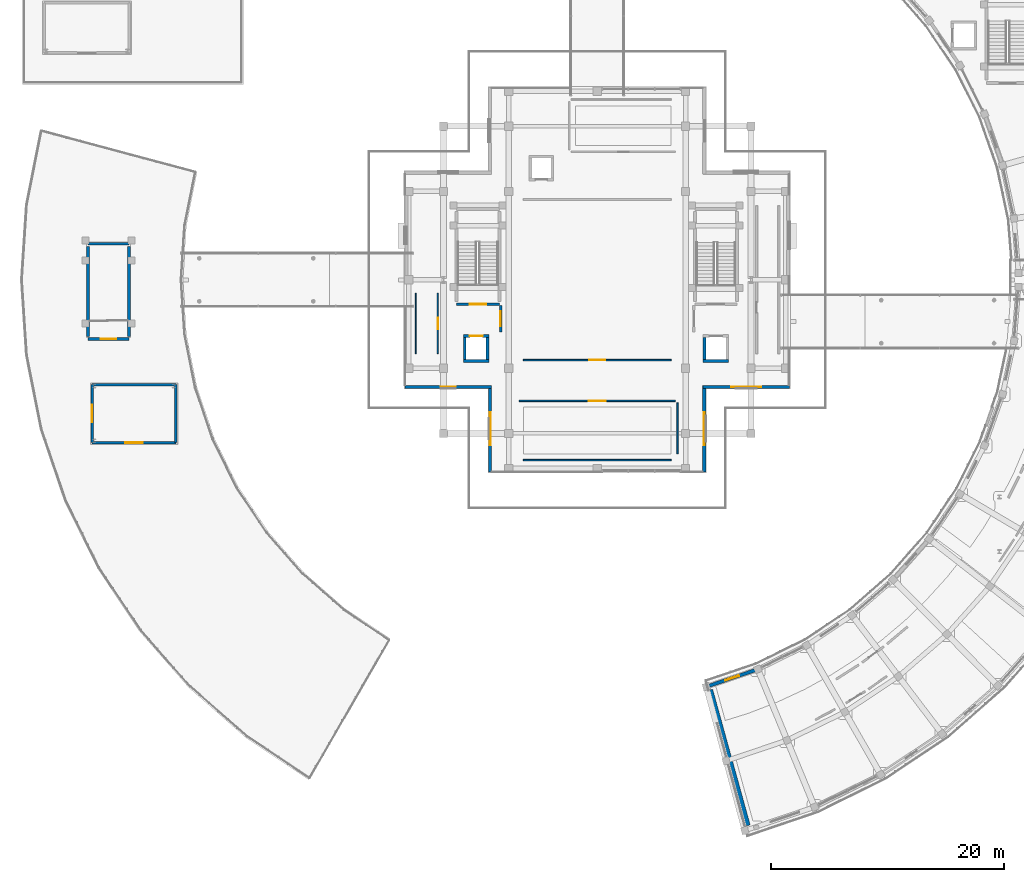
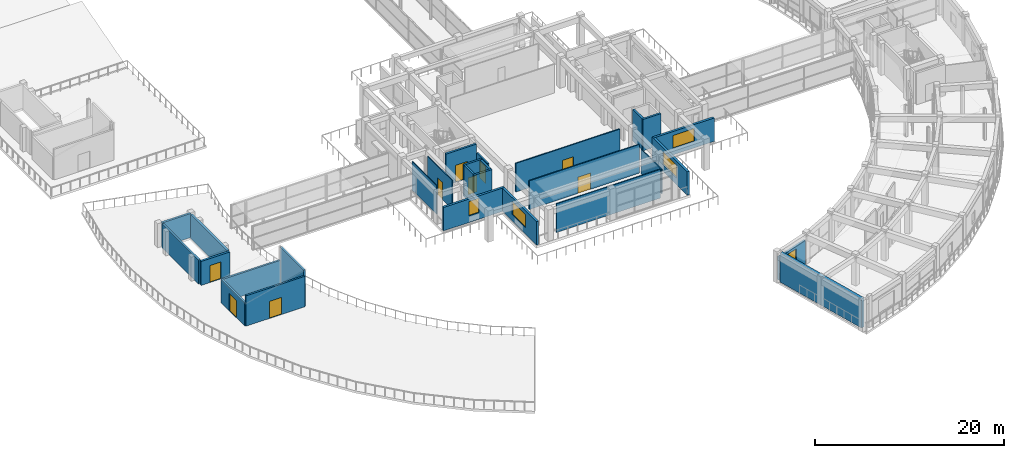
# One storey, part 34 of 53: 28 walls, 9 doors, 5 windows, 14 openings.
"""IFC4 building model written with IfcOpenShell, lengths in metres."""

from ifc_helpers import new_model, si_unit, direction, frame, frame_2d, origin, place, context, subcontext, project, spatial, rectangle, extrude, material, layer, layer_set, type_object, element, fill, save


model = new_model("IFC4")

# Units and contexts
model_context = context("Model", 3, precision=1e-05, world=origin(), true_north=direction((0.0, 1.0)))
body_context = subcontext(model_context, "Body", "Model", "MODEL_VIEW")
ifc_project = project(units=[si_unit("LENGTHUNIT", "METRE"), si_unit("AREAUNIT", "SQUARE_METRE"), si_unit("VOLUMEUNIT", "CUBIC_METRE"), si_unit("PLANEANGLEUNIT", "RADIAN"), si_unit("MASSUNIT", "GRAM", prefix="KILO")], contexts=[model_context])

# Site, building, storey
site_placement = place(None, origin())
site = spatial("IfcSite", under=ifc_project, at=site_placement, CompositionType="ELEMENT")
building_placement = place(site_placement, origin())
building = spatial("IfcBuilding", under=site, at=building_placement, Name="Saryqyr Civic Hall", CompositionType="ELEMENT")
storey_placement = place(building_placement, frame((0.0, 0.0, 21.300048828125)))
storey = spatial("IfcBuildingStorey", under=building, at=storey_placement, Name="L05", CompositionType="ELEMENT", Elevation=21.300048828125)

# Wall, opening, door
ifc_material_1 = material(Name="Precast concrete C40/50", Category="concrete")
ifc_layer_1 = layer(ifc_material_1, 0.219970703125, Name="Precast concrete C40/50")
ifc_layer_set_1 = layer_set([ifc_layer_1], Name="Precast concrete C40/50")
wall_type_1 = type_object("IfcWallType", Name="ENV-WAL-EXT-220", PredefinedType="STANDARD", material=ifc_layer_set_1)
wall_1_placement = place(storey_placement, frame((20.800048828125, 70.0, 0.0), z_axis=(0.0, 0.0, 1.0), x_axis=(-1.0, 0.0, 0.0)))
wall_1 = element("IfcWall", 1, at=wall_1_placement, inside=storey, type_object=wall_type_1, Name="Roof garden pavilion wall WAL-RG-V4-S", PredefinedType="STANDARD", context=body_context, shape_type="SweptSolid", body=[
    extrude(rectangle(XDim=7.199951171875, YDim=0.219970703125, at=frame_2d((3.60009765625, 0.0))), origin(), (0.0, 0.0, 1.0), 3.930908203125),
])
opening_1_placement = place(wall_1_placement, frame((2.85009765625, 0.0, 0.0)))
opening_1 = element("IfcOpeningElement", 2, at=opening_1_placement, cuts=wall_1, Name="Opening TD-A", PredefinedType="OPENING", context=body_context, shape_type="SweptSolid", body=[
    extrude(rectangle(XDim=1.5, YDim=2.199951171875, at=frame_2d((0.75, 1.10009765625))), frame((0.0, 0.119873046875, 0.0), z_axis=(0.0, -1.0, 0.0), x_axis=(1.0, 0.0, 0.0)), (0.0, 0.0, 1.0), 0.239990234375),
])
ifc_material_2 = material(Name="Thermally broken painted galvanized steel", Category="steel")
door_type_1 = type_object("IfcDoorType", Name="ENV-DR-TERR-1500x2200", OperationType="NOTDEFINED", PredefinedType="DOOR", material=ifc_material_2)
door_1_placement = place(opening_1_placement, origin())
door_1 = element("IfcDoor", 3, at=door_1_placement, inside=storey, type_object=door_type_1, Name="Planted roof garden terrace access door RG-V4", OperationType="SINGLE_SWING_LEFT", OverallHeight=2.199951171875, OverallWidth=1.5, PredefinedType="DOOR", context=body_context, shape_type="SweptSolid", body=[
    extrude(rectangle(XDim=1.5, YDim=2.199951171875, at=frame_2d((0.75, 1.10009765625))), frame((0.0, 0.02490234375, 0.0), z_axis=(0.0, -1.0, 0.0), x_axis=(1.0, 0.0, 0.0)), (0.0, 0.0, 1.0), 0.050048828125),
])
fill(opening_1, door_1)

# Walls
wall_2_placement = place(storey_placement, frame((20.800048828125, 75.0, 0.0), z_axis=(0.0, 0.0, 1.0), x_axis=(0.0, -1.0, 0.0)))
element("IfcWall", 4, at=wall_2_placement, inside=storey, type_object=wall_type_1, Name="Roof garden pavilion wall WAL-RG-V4-E", PredefinedType="STANDARD", context=body_context, shape_type="SweptSolid", body=[
    extrude(rectangle(XDim=5.0, YDim=0.219970703125, at=frame_2d((2.5, 0.0))), origin(), (0.0, 0.0, 1.0), 4.681884765625),
])
wall_3_placement = place(storey_placement, frame((13.60009765625, 75.0, 0.0), z_axis=(0.0, 0.0, 1.0), x_axis=(1.0, 0.0, 0.0)))
element("IfcWall", 5, at=wall_3_placement, inside=storey, type_object=wall_type_1, Name="Roof garden pavilion wall WAL-RG-V4-N", PredefinedType="STANDARD", context=body_context, shape_type="SweptSolid", body=[
    extrude(rectangle(XDim=7.199951171875, YDim=0.219970703125, at=frame_2d((3.60009765625, 0.0))), origin(), (0.0, 0.0, 1.0), 3.0),
])

# Wall, opening, door
wall_4_placement = place(storey_placement, frame((13.60009765625, 70.0, 0.0), z_axis=(0.0, 0.0, 1.0), x_axis=(0.0, 1.0, 0.0)))
wall_4 = element("IfcWall", 6, at=wall_4_placement, inside=storey, type_object=wall_type_1, Name="Roof garden pavilion wall WAL-RG-V4-W", PredefinedType="STANDARD", context=body_context, shape_type="SweptSolid", body=[
    extrude(rectangle(XDim=5.0, YDim=0.219970703125, at=frame_2d((2.5, 0.0))), origin(), (0.0, 0.0, 1.0), 3.0),
])
opening_2_placement = place(wall_4_placement, frame((1.75, 0.0, 0.0)))
opening_2 = element("IfcOpeningElement", 7, at=opening_2_placement, cuts=wall_4, Name="Opening TD-A", PredefinedType="OPENING", context=body_context, shape_type="SweptSolid", body=[
    extrude(rectangle(XDim=1.5, YDim=2.199951171875, at=frame_2d((0.75, 1.10009765625))), frame((0.0, 0.119873046875, 0.0), z_axis=(0.0, -1.0, 0.0), x_axis=(1.0, 0.0, 0.0)), (0.0, 0.0, 1.0), 0.239990234375),
])
door_2_placement = place(opening_2_placement, origin())
door_2 = element("IfcDoor", 8, at=door_2_placement, inside=storey, type_object=door_type_1, Name="Planted roof garden terrace access door RG-V4", OperationType="SINGLE_SWING_RIGHT", OverallHeight=2.199951171875, OverallWidth=1.5, PredefinedType="DOOR", context=body_context, shape_type="SweptSolid", body=[
    extrude(rectangle(XDim=1.5, YDim=2.199951171875, at=frame_2d((0.75, 1.10009765625))), frame((0.0, 0.02490234375, 0.0), z_axis=(0.0, -1.0, 0.0), x_axis=(1.0, 0.0, 0.0)), (0.0, 0.0, 1.0), 0.050048828125),
])
fill(opening_2, door_2)

# Wall, opening, window
ifc_layer_2 = layer(ifc_material_1, 0.27001953125, Name="Precast concrete C40/50")
ifc_layer_set_2 = layer_set([ifc_layer_2], Name="Precast concrete C40/50")
wall_type_2 = type_object("IfcWallType", Name="ENV-WAL-EXT-270", PredefinedType="STANDARD", material=ifc_layer_set_2)
wall_5_placement = place(storey_placement, frame((47.800048828125, 67.47998046875, 0.0), z_axis=(0.0, 0.0, 1.0), x_axis=(0.0, 1.0, 0.0)))
wall_5 = element("IfcWall", 9, at=wall_5_placement, inside=storey, type_object=wall_type_2, Name="Exterior wall V1-EW-L05-00", PredefinedType="STANDARD", context=body_context, shape_type="SweptSolid", body=[
    extrude(rectangle(XDim=7.43994140625, YDim=0.27001953125, at=frame_2d((3.719970703125, 0.0))), origin(), (0.0, 0.0, 1.0), 3.014892578125),
])
opening_3_placement = place(wall_5_placement, frame((2.294921875, 0.0, 0.85009765625)))
opening_3 = element("IfcOpeningElement", 10, at=opening_3_placement, cuts=wall_5, Name="Opening W-24", PredefinedType="OPENING", context=body_context, shape_type="SweptSolid", body=[
    extrude(rectangle(XDim=2.85009765625, YDim=1.64990234375, at=frame_2d((1.425048828125, 0.824951171875))), frame((0.0, 0.14501953125, 0.0), z_axis=(0.0, -1.0, 0.0), x_axis=(1.0, 0.0, 0.0)), (0.0, 0.0, 1.0), 0.2900390625),
])
ifc_material_3 = material(Name="Anodised aluminium and triple low-E glass", Category="aluminium")
window_type_1 = type_object("IfcWindowType", Name="ENV-WIN-W24", PartitioningType="SINGLE_PANEL", PredefinedType="WINDOW", material=ifc_material_3)
window_1_placement = place(opening_3_placement, origin())
window_1 = element("IfcWindow", 11, at=window_1_placement, inside=storey, type_object=window_type_1, Name="Chamber cluster window L05-00", OverallHeight=1.64990234375, OverallWidth=2.85009765625, PartitioningType="SINGLE_PANEL", PredefinedType="WINDOW", context=body_context, shape_type="SweptSolid", body=[
    extrude(rectangle(XDim=2.85009765625, YDim=1.64990234375, at=frame_2d((1.425048828125, 0.824951171875))), frame((0.0, 0.030029296875, 0.0), z_axis=(0.0, -1.0, 0.0), x_axis=(1.0, 0.0, 0.0)), (0.0, 0.0, 1.0), 0.06005859375),
])
fill(opening_3, window_1)

wall_6_placement = place(storey_placement, frame((47.919921875, 74.800048828125, 0.0), z_axis=(0.0, 0.0, 1.0), x_axis=(-1.0, 0.0, 0.0)))
wall_6 = element("IfcWall", 12, at=wall_6_placement, inside=storey, type_object=wall_type_2, Name="Exterior wall V1-EW-L05-01", PredefinedType="STANDARD", context=body_context, shape_type="SweptSolid", body=[
    extrude(rectangle(XDim=7.43994140625, YDim=0.27001953125, at=frame_2d((3.719970703125, 0.0))), origin(), (0.0, 0.0, 1.0), 3.014892578125),
])
opening_4_placement = place(wall_6_placement, frame((3.094970703125, 0.0, 0.85009765625)))
opening_4 = element("IfcOpeningElement", 13, at=opening_4_placement, cuts=wall_6, Name="Opening W-25", PredefinedType="OPENING", context=body_context, shape_type="SweptSolid", body=[
    extrude(rectangle(XDim=1.25, YDim=1.85009765625, at=frame_2d((0.625, 0.925048828125))), frame((0.0, 0.14501953125, 0.0), z_axis=(0.0, -1.0, 0.0), x_axis=(1.0, 0.0, 0.0)), (0.0, 0.0, 1.0), 0.2900390625),
])
window_type_2 = type_object("IfcWindowType", Name="ENV-WIN-W25", PartitioningType="SINGLE_PANEL", PredefinedType="WINDOW", material=ifc_material_3)
window_2_placement = place(opening_4_placement, origin())
window_2 = element("IfcWindow", 14, at=window_2_placement, inside=storey, type_object=window_type_2, Name="Chamber cluster window L05-01", OverallHeight=1.85009765625, OverallWidth=1.25, PartitioningType="SINGLE_PANEL", PredefinedType="WINDOW", context=body_context, shape_type="SweptSolid", body=[
    extrude(rectangle(XDim=1.25, YDim=1.85009765625, at=frame_2d((0.625, 0.925048828125))), frame((0.0, 0.030029296875, 0.0), z_axis=(0.0, -1.0, 0.0), x_axis=(1.0, 0.0, 0.0)), (0.0, 0.0, 1.0), 0.06005859375),
])
fill(opening_4, window_2)

wall_7_placement = place(storey_placement, frame((73.52001953125, 74.800048828125, 0.0), z_axis=(0.0, 0.0, 1.0), x_axis=(-1.0, 0.0, 0.0)))
wall_7 = element("IfcWall", 15, at=wall_7_placement, inside=storey, type_object=wall_type_2, Name="Exterior wall V1-EW-L05-09", PredefinedType="STANDARD", context=body_context, shape_type="SweptSolid", body=[
    extrude(rectangle(XDim=7.43994140625, YDim=0.27001953125, at=frame_2d((3.719970703125, 0.0))), origin(), (0.0, 0.0, 1.0), 3.014892578125),
])
opening_5_placement = place(wall_7_placement, frame((2.419921875, 0.0, 0.85009765625)))
opening_5 = element("IfcOpeningElement", 16, at=opening_5_placement, cuts=wall_7, Name="Opening W-23", PredefinedType="OPENING", context=body_context, shape_type="SweptSolid", body=[
    extrude(rectangle(XDim=2.60009765625, YDim=1.64990234375, at=frame_2d((1.300048828125, 0.824951171875))), frame((0.0, 0.14501953125, 0.0), z_axis=(0.0, -1.0, 0.0), x_axis=(1.0, 0.0, 0.0)), (0.0, 0.0, 1.0), 0.2900390625),
])
window_type_3 = type_object("IfcWindowType", Name="ENV-WIN-W23", PartitioningType="SINGLE_PANEL", PredefinedType="WINDOW", material=ifc_material_3)
window_3_placement = place(opening_5_placement, origin())
window_3 = element("IfcWindow", 17, at=window_3_placement, inside=storey, type_object=window_type_3, Name="Chamber cluster window L05-09", OverallHeight=1.64990234375, OverallWidth=2.60009765625, PartitioningType="SINGLE_PANEL", PredefinedType="WINDOW", context=body_context, shape_type="SweptSolid", body=[
    extrude(rectangle(XDim=2.60009765625, YDim=1.64990234375, at=frame_2d((1.300048828125, 0.824951171875))), frame((0.0, 0.030029296875, 0.0), z_axis=(0.0, -1.0, 0.0), x_axis=(1.0, 0.0, 0.0)), (0.0, 0.0, 1.0), 0.06005859375),
])
fill(opening_5, window_3)

wall_8_placement = place(storey_placement, frame((66.199951171875, 74.919921875, 0.0), z_axis=(0.0, 0.0, 1.0), x_axis=(0.0, -1.0, 0.0)))
wall_8 = element("IfcWall", 18, at=wall_8_placement, inside=storey, type_object=wall_type_2, Name="Exterior wall V1-EW-L05-10", PredefinedType="STANDARD", context=body_context, shape_type="SweptSolid", body=[
    extrude(rectangle(XDim=7.43994140625, YDim=0.27001953125, at=frame_2d((3.719970703125, 0.0))), origin(), (0.0, 0.0, 1.0), 3.014892578125),
])
opening_6_placement = place(wall_8_placement, frame((2.294921875, 0.0, 0.85009765625)))
opening_6 = element("IfcOpeningElement", 19, at=opening_6_placement, cuts=wall_8, Name="Opening W-24", PredefinedType="OPENING", context=body_context, shape_type="SweptSolid", body=[
    extrude(rectangle(XDim=2.85009765625, YDim=1.64990234375, at=frame_2d((1.425048828125, 0.824951171875))), frame((0.0, 0.14501953125, 0.0), z_axis=(0.0, -1.0, 0.0), x_axis=(1.0, 0.0, 0.0)), (0.0, 0.0, 1.0), 0.2900390625),
])
window_4_placement = place(opening_6_placement, origin())
window_4 = element("IfcWindow", 20, at=window_4_placement, inside=storey, type_object=window_type_1, Name="Chamber cluster window L05-10", OverallHeight=1.64990234375, OverallWidth=2.85009765625, PartitioningType="SINGLE_PANEL", PredefinedType="WINDOW", context=body_context, shape_type="SweptSolid", body=[
    extrude(rectangle(XDim=2.85009765625, YDim=1.64990234375, at=frame_2d((1.425048828125, 0.824951171875))), frame((0.0, 0.030029296875, 0.0), z_axis=(0.0, -1.0, 0.0), x_axis=(1.0, 0.0, 0.0)), (0.0, 0.0, 1.0), 0.06005859375),
])
fill(opening_6, window_4)

ifc_layer_3 = layer(ifc_material_1, 0.2900390625, Name="Precast concrete C40/50")
ifc_layer_set_3 = layer_set([ifc_layer_3], Name="Precast concrete C40/50")
wall_type_3 = type_object("IfcWallType", Name="ENV-WAL-EXT-290", PredefinedType="STANDARD", material=ifc_layer_set_3)
wall_9_placement = place(storey_placement, frame((66.604248046875, 49.113037109375, 0.0), z_axis=(0.0, 0.0, 1.0), x_axis=(0.947212694363, 0.32060585091, 0.0)))
wall_9 = element("IfcWall", 21, at=wall_9_placement, inside=storey, type_object=wall_type_3, Name="Exterior wall V5-EWI-L05-00", PredefinedType="STANDARD", context=body_context, shape_type="SweptSolid", body=[
    extrude(rectangle(XDim=4.17919921875, YDim=0.2900390625, at=frame_2d((2.089599609375, 0.0))), origin(), (0.0, 0.0, 1.0), 3.0048828125),
])
opening_7_placement = place(wall_9_placement, frame((1.465087890625, 0.0, 0.85009765625)))
opening_7 = element("IfcOpeningElement", 22, at=opening_7_placement, cuts=wall_9, Name="Opening W-25", PredefinedType="OPENING", context=body_context, shape_type="SweptSolid", body=[
    extrude(rectangle(XDim=1.25, YDim=1.85009765625, at=frame_2d((0.625, 0.925048828125))), frame((0.0, 0.155029296875, 0.0), z_axis=(0.0, -1.0, 0.0), x_axis=(1.0, 0.0, 0.0)), (0.0, 0.0, 1.0), 0.31005859375),
])
window_5_placement = place(opening_7_placement, origin())
window_5 = element("IfcWindow", 23, at=window_5_placement, inside=storey, type_object=window_type_2, Name="Courtyard window V5-L05-00", OverallHeight=1.85009765625, OverallWidth=1.25, PartitioningType="SINGLE_PANEL", PredefinedType="WINDOW", context=body_context, shape_type="SweptSolid", body=[
    extrude(rectangle(XDim=1.25, YDim=1.85009765625, at=frame_2d((0.625, 0.925048828125))), frame((0.0, 0.030029296875, 0.0), z_axis=(0.0, -1.0, 0.0), x_axis=(1.0, 0.0, 0.0)), (0.0, 0.0, 1.0), 0.06005859375),
])
fill(opening_7, window_5)

# Wall
ifc_material_4 = material(Name="Concrete C40/50", Category="concrete")
ifc_layer_4 = layer(ifc_material_4, 0.3798828125, Name="Concrete C40/50")
ifc_layer_set_4 = layer_set([ifc_layer_4], Name="Concrete C40/50")
wall_type_4 = type_object("IfcWallType", Name="ENV-WAL-PTY-380", PredefinedType="SHEAR", material=ifc_layer_set_4)
wall_10_placement = place(storey_placement, frame((69.960205078125, 37.108154296875, 0.0), z_axis=(0.0, 0.0, 1.0), x_axis=(-0.266399016259, 0.963862834711, 0.0)))
element("IfcWall", 24, at=wall_10_placement, inside=storey, type_object=wall_type_4, Name="Exterior wall V5-JNTW-A-L05", PredefinedType="SHEAR", context=body_context, shape_type="SweptSolid", body=[
    extrude(rectangle(XDim=12.099853515625, YDim=0.3798828125, at=frame_2d((6.0498046875, 0.0))), origin(), (0.0, 0.0, 1.0), 3.75),
])

# Wall, opening, door
ifc_material_5 = material(Name="Autoclaved aerated concrete blockwork", Category="masonry")
ifc_layer_5 = layer(ifc_material_5, 0.199951171875, Name="Autoclaved aerated concrete blockwork")
ifc_layer_set_5 = layer_set([ifc_layer_5], Name="Autoclaved aerated concrete blockwork")
wall_type_5 = type_object("IfcWallType", Name="INT-WAL-FIR-200", PredefinedType="PARTITIONING", material=ifc_layer_set_5)
wall_11_placement = place(storey_placement, frame((48.699951171875, 81.800048828125, 0.0), z_axis=(0.0, 0.0, 1.0), x_axis=(0.0, -1.0, 0.0)))
wall_11 = element("IfcWall", 25, at=wall_11_placement, inside=storey, type_object=wall_type_5, Name="Firefighting lift lobby enclosure wall LF-01 L05", PredefinedType="PARTITIONING", context=body_context, shape_type="SweptSolid", body=[
    extrude(rectangle(XDim=2.300048828125, YDim=0.199951171875, at=frame_2d((1.14990234375, 0.0))), origin(), (0.0, 0.0, 1.0), 2.89990234375),
])
opening_8_placement = place(wall_11_placement, frame((0.5, 0.0, 0.0)))
opening_8 = element("IfcOpeningElement", 26, at=opening_8_placement, cuts=wall_11, Name="Opening FD-01", PredefinedType="OPENING", context=body_context, shape_type="SweptSolid", body=[
    extrude(rectangle(XDim=1.300048828125, YDim=2.199951171875, at=frame_2d((0.64990234375, 1.10009765625))), frame((0.0, 0.10986328125, 0.0), z_axis=(0.0, -1.0, 0.0), x_axis=(1.0, 0.0, 0.0)), (0.0, 0.0, 1.0), 0.219970703125),
])
ifc_material_6 = material(Name="Painted galvanized steel", Category="steel")
door_type_2 = type_object("IfcDoorType", Name="INT-DR-FFLOB-1300x2200", OperationType="NOTDEFINED", PredefinedType="DOOR", material=ifc_material_6)
door_3_placement = place(opening_8_placement, origin())
door_3 = element("IfcDoor", 27, at=door_3_placement, inside=storey, type_object=door_type_2, Name="Firefighting lift lobby smoke-control door LF-01 L05", OperationType="SINGLE_SWING_LEFT", OverallHeight=2.199951171875, OverallWidth=1.300048828125, PredefinedType="DOOR", context=body_context, shape_type="SweptSolid", body=[
    extrude(rectangle(XDim=1.300048828125, YDim=2.199951171875, at=frame_2d((0.64990234375, 1.10009765625))), frame((0.0, 0.02490234375, 0.0), z_axis=(0.0, -1.0, 0.0), x_axis=(1.0, 0.0, 0.0)), (0.0, 0.0, 1.0), 0.050048828125),
])
fill(opening_8, door_3)

ifc_material_7 = material(Name="Lightweight demountable partition", Category="gypsum")
ifc_layer_6 = layer(ifc_material_7, 0.094970703125, Name="Lightweight demountable partition")
ifc_layer_set_6 = layer_set([ifc_layer_6], Name="Lightweight demountable partition")
wall_type_6 = type_object("IfcWallType", Name="INT-WAL-PRT-095", PredefinedType="PARTITIONING", material=ifc_layer_set_6)
wall_12_placement = place(storey_placement, frame((43.300048828125, 82.85009765625, 0.0), z_axis=(0.0, 0.0, 1.0), x_axis=(0.0, -1.0, 0.0)))
wall_12 = element("IfcWall", 28, at=wall_12_placement, inside=storey, type_object=wall_type_6, Name="Interior partition PRT-SP-V1-L05-R04-W1", PredefinedType="PARTITIONING", context=body_context, shape_type="SweptSolid", body=[
    extrude(rectangle(XDim=5.2001953125, YDim=0.094970703125, at=frame_2d((2.60009765625, 0.0))), origin(), (0.0, 0.0, 1.0), 3.699951171875),
])
opening_9_placement = place(wall_12_placement, frame((2.10009765625, 0.0, 0.0)))
opening_9 = element("IfcOpeningElement", 29, at=opening_9_placement, cuts=wall_12, Name="Opening D-10", PredefinedType="OPENING", context=body_context, shape_type="SweptSolid", body=[
    extrude(rectangle(XDim=1.0, YDim=2.219970703125, at=frame_2d((0.5, 1.10986328125))), frame((0.0, 0.057373046875, 0.0), z_axis=(0.0, -1.0, 0.0), x_axis=(1.0, 0.0, 0.0)), (0.0, 0.0, 1.0), 0.114990234375),
])
ifc_material_8 = material(Name="Acoustic solid-core oak veneer", Category="wood")
door_type_3 = type_object("IfcDoorType", Name="INT-DR-D-10", OperationType="NOTDEFINED", PredefinedType="DOOR", material=ifc_material_8)
door_4_placement = place(opening_9_placement, origin())
door_4 = element("IfcDoor", 30, at=door_4_placement, inside=storey, type_object=door_type_3, Name="Interior door West Terrace Lobby", OperationType="SINGLE_SWING_RIGHT", OverallHeight=2.219970703125, OverallWidth=1.0, PredefinedType="DOOR", context=body_context, shape_type="SweptSolid", body=[
    extrude(rectangle(XDim=1.0, YDim=2.219970703125, at=frame_2d((0.5, 1.10986328125))), frame((0.0, 0.02490234375, 0.0), z_axis=(0.0, -1.0, 0.0), x_axis=(1.0, 0.0, 0.0)), (0.0, 0.0, 1.0), 0.050048828125),
])
fill(opening_9, door_4)

# Wall
wall_13_placement = place(storey_placement, frame((41.39990234375, 77.64990234375, 0.0), z_axis=(0.0, 0.0, 1.0), x_axis=(0.0, 1.0, 0.0)))
element("IfcWall", 31, at=wall_13_placement, inside=storey, type_object=wall_type_6, Name="Interior partition PRT-SP-V1-L05-R04-W2", PredefinedType="PARTITIONING", context=body_context, shape_type="SweptSolid", body=[
    extrude(rectangle(XDim=5.2001953125, YDim=0.094970703125, at=frame_2d((2.60009765625, 0.0))), origin(), (0.0, 0.0, 1.0), 3.699951171875),
])

# Wall, opening, door
ifc_material_9 = material(Name="Metal-stud gypsum board partition", Category="gypsum")
ifc_layer_7 = layer(ifc_material_9, 0.125, Name="Metal-stud gypsum board partition")
ifc_layer_set_7 = layer_set([ifc_layer_7], Name="Metal-stud gypsum board partition")
wall_type_7 = type_object("IfcWallType", Name="INT-WAL-PRT-125", PredefinedType="PARTITIONING", material=ifc_layer_set_7)
wall_14_placement = place(storey_placement, frame((50.280029296875, 73.60009765625, 0.0), z_axis=(0.0, 0.0, 1.0), x_axis=(1.0, 0.0, 0.0)))
wall_14 = element("IfcWall", 32, at=wall_14_placement, inside=storey, type_object=wall_type_7, Name="Interior partition PRT-SP-V1-L05-R02-W1", PredefinedType="PARTITIONING", context=body_context, shape_type="SweptSolid", body=[
    extrude(rectangle(XDim=13.43994140625, YDim=0.125, at=frame_2d((6.719970703125, 0.0))), origin(), (0.0, 0.0, 1.0), 3.699951171875),
])
opening_10_placement = place(wall_14_placement, frame((5.969970703125, 0.0, 0.0)))
opening_10 = element("IfcOpeningElement", 33, at=opening_10_placement, cuts=wall_14, Name="Opening D-08", PredefinedType="OPENING", context=body_context, shape_type="SweptSolid", body=[
    extrude(rectangle(XDim=1.5, YDim=2.10009765625, at=frame_2d((0.75, 1.050048828125))), frame((0.0, 0.072509765625, 0.0), z_axis=(0.0, -1.0, 0.0), x_axis=(1.0, 0.0, 0.0)), (0.0, 0.0, 1.0), 0.14501953125),
])
door_type_4 = type_object("IfcDoorType", Name="INT-DR-D-08", OperationType="NOTDEFINED", PredefinedType="DOOR", material=ifc_material_8)
door_5_placement = place(opening_10_placement, origin())
door_5 = element("IfcDoor", 34, at=door_5_placement, inside=storey, type_object=door_type_4, Name="Interior door Council Chamber Members' Antechamber South", OperationType="SINGLE_SWING_RIGHT", OverallHeight=2.10009765625, OverallWidth=1.5, PredefinedType="DOOR", context=body_context, shape_type="SweptSolid", body=[
    extrude(rectangle(XDim=1.5, YDim=2.10009765625, at=frame_2d((0.75, 1.050048828125))), frame((0.0, 0.02490234375, 0.0), z_axis=(0.0, -1.0, 0.0), x_axis=(1.0, 0.0, 0.0)), (0.0, 0.0, 1.0), 0.050048828125),
])
fill(opening_10, door_5)

# Walls
wall_15_placement = place(storey_placement, frame((63.35009765625, 68.5, 0.0), z_axis=(0.0, 0.0, 1.0), x_axis=(-1.0, 0.0, 0.0)))
element("IfcWall", 35, at=wall_15_placement, inside=storey, type_object=wall_type_7, Name="Interior partition PRT-SP-V1-L05-R02-W2", PredefinedType="PARTITIONING", context=body_context, shape_type="SweptSolid", body=[
    extrude(rectangle(XDim=12.7001953125, YDim=0.125, at=frame_2d((6.35009765625, 0.0))), origin(), (0.0, 0.0, 1.0), 3.699951171875),
])
wall_16_placement = place(storey_placement, frame((63.89990234375, 73.419921875, 0.0), z_axis=(0.0, 0.0, 1.0), x_axis=(0.0, -1.0, 0.0)))
element("IfcWall", 36, at=wall_16_placement, inside=storey, type_object=wall_type_7, Name="Interior partition PRT-SP-V1-L05-R02-W3", PredefinedType="PARTITIONING", context=body_context, shape_type="SweptSolid", body=[
    extrude(rectangle(XDim=4.369873046875, YDim=0.125, at=frame_2d((2.18505859375, 0.0))), origin(), (0.0, 0.0, 1.0), 3.114990234375),
])

# Wall, opening, door
ifc_layer_8 = layer(ifc_material_9, 0.139892578125, Name="Metal-stud gypsum board partition")
ifc_layer_set_8 = layer_set([ifc_layer_8], Name="Metal-stud gypsum board partition")
wall_type_8 = type_object("IfcWallType", Name="INT-WAL-PRT-140", PredefinedType="PARTITIONING", material=ifc_layer_set_8)
wall_17_placement = place(storey_placement, frame((63.35009765625, 77.10009765625, 0.0), z_axis=(0.0, 0.0, 1.0), x_axis=(-1.0, 0.0, 0.0)))
wall_17 = element("IfcWall", 37, at=wall_17_placement, inside=storey, type_object=wall_type_8, Name="Interior partition PRT-SP-V1-L05-R01-W1", PredefinedType="PARTITIONING", context=body_context, shape_type="SweptSolid", body=[
    extrude(rectangle(XDim=12.7001953125, YDim=0.139892578125, at=frame_2d((6.35009765625, 0.0))), origin(), (0.0, 0.0, 1.0), 3.699951171875),
])
opening_11_placement = place(wall_17_placement, frame((5.675048828125, 0.0, 0.0)))
opening_11 = element("IfcOpeningElement", 38, at=opening_11_placement, cuts=wall_17, Name="Opening D-07", PredefinedType="OPENING", context=body_context, shape_type="SweptSolid", body=[
    extrude(rectangle(XDim=1.35009765625, YDim=2.10009765625, at=frame_2d((0.675048828125, 1.050048828125))), frame((0.0, 0.079833984375, 0.0), z_axis=(0.0, -1.0, 0.0), x_axis=(1.0, 0.0, 0.0)), (0.0, 0.0, 1.0), 0.159912109375),
])
door_type_5 = type_object("IfcDoorType", Name="INT-DR-D-07", OperationType="NOTDEFINED", PredefinedType="DOOR", material=ifc_material_8)
door_6_placement = place(opening_11_placement, origin())
door_6 = element("IfcDoor", 39, at=door_6_placement, inside=storey, type_object=door_type_5, Name="Interior door Civic Council Assembly Chamber", OperationType="SINGLE_SWING_LEFT", OverallHeight=2.10009765625, OverallWidth=1.35009765625, PredefinedType="DOOR", context=body_context, shape_type="SweptSolid", body=[
    extrude(rectangle(XDim=1.35009765625, YDim=2.10009765625, at=frame_2d((0.675048828125, 1.050048828125))), frame((0.0, 0.02490234375, 0.0), z_axis=(0.0, -1.0, 0.0), x_axis=(1.0, 0.0, 0.0)), (0.0, 0.0, 1.0), 0.050048828125),
])
fill(opening_11, door_6)

# Walls
ifc_layer_9 = layer(ifc_material_4, 0.239990234375, Name="Concrete C40/50")
ifc_layer_set_9 = layer_set([ifc_layer_9], Name="Concrete C40/50")
wall_type_9 = type_object("IfcWallType", Name="INT-WAL-SHR-240", PredefinedType="SHEAR", material=ifc_layer_set_9)
wall_18_placement = place(storey_placement, frame((47.699951171875, 77.02001953125, 0.0), z_axis=(0.0, 0.0, 1.0), x_axis=(-1.0, 0.0, 0.0)))
element("IfcWall", 40, at=wall_18_placement, inside=storey, type_object=wall_type_9, Name="Lift shaft shear wall LF-01-SHW-S-L05", PredefinedType="SHEAR", context=body_context, shape_type="SweptSolid", body=[
    extrude(rectangle(XDim=2.199951171875, YDim=0.239990234375, at=frame_2d((1.10009765625, 0.0))), origin(), (0.0, 0.0, 1.0), 4.050048828125),
])
wall_19_placement = place(storey_placement, frame((47.580078125, 79.06005859375, 0.0), z_axis=(0.0, 0.0, 1.0), x_axis=(0.0, -1.0, 0.0)))
element("IfcWall", 41, at=wall_19_placement, inside=storey, type_object=wall_type_9, Name="Lift shaft shear wall LF-01-SHW-E-L05", PredefinedType="SHEAR", context=body_context, shape_type="SweptSolid", body=[
    extrude(rectangle(XDim=1.920166015625, YDim=0.239990234375, at=frame_2d((0.9599609375, 0.0))), origin(), (0.0, 0.0, 1.0), 4.050048828125),
])

# Wall, opening, door
wall_20_placement = place(storey_placement, frame((45.5, 79.179931640625, 0.0), z_axis=(0.0, 0.0, 1.0), x_axis=(1.0, 0.0, 0.0)))
wall_20 = element("IfcWall", 42, at=wall_20_placement, inside=storey, type_object=wall_type_9, Name="Lift shaft shear wall LF-01-SHW-N-L05", PredefinedType="SHEAR", context=body_context, shape_type="SweptSolid", body=[
    extrude(rectangle(XDim=2.199951171875, YDim=0.239990234375, at=frame_2d((1.10009765625, 0.0))), origin(), (0.0, 0.0, 1.0), 4.050048828125),
])
opening_12_placement = place(wall_20_placement, frame((0.550048828125, 0.0, 0.0)))
opening_12 = element("IfcOpeningElement", 43, at=opening_12_placement, cuts=wall_20, Name="Opening LD-01", PredefinedType="OPENING", context=body_context, shape_type="SweptSolid", body=[
    extrude(rectangle(XDim=1.10009765625, YDim=2.14990234375, at=frame_2d((0.550048828125, 1.074951171875))), frame((0.0, 0.1298828125, 0.0), z_axis=(0.0, -1.0, 0.0), x_axis=(1.0, 0.0, 0.0)), (0.0, 0.0, 1.0), 0.260009765625),
])
ifc_material_10 = material(Name="Brushed stainless steel", Category="steel")
door_type_6 = type_object("IfcDoorType", Name="INT-DR-LD-1100x2150", OperationType="NOTDEFINED", PredefinedType="DOOR", material=ifc_material_10)
door_7_placement = place(opening_12_placement, origin())
door_7 = element("IfcDoor", 44, at=door_7_placement, inside=storey, type_object=door_type_6, Name="Lift sliding landing door LF-01 L05", OperationType="SLIDING_TO_LEFT", OverallHeight=2.14990234375, OverallWidth=1.10009765625, PredefinedType="DOOR", context=body_context, shape_type="SweptSolid", body=[
    extrude(rectangle(XDim=1.10009765625, YDim=2.14990234375, at=frame_2d((0.550048828125, 1.074951171875))), frame((0.0, 0.02490234375, 0.0), z_axis=(0.0, -1.0, 0.0), x_axis=(1.0, 0.0, 0.0)), (0.0, 0.0, 1.0), 0.050048828125),
])
fill(opening_12, door_7)

# Walls
wall_21_placement = place(storey_placement, frame((45.6201171875, 77.139892578125, 0.0), z_axis=(0.0, 0.0, 1.0), x_axis=(0.0, 1.0, 0.0)))
element("IfcWall", 45, at=wall_21_placement, inside=storey, type_object=wall_type_9, Name="Lift shaft shear wall LF-01-SHW-W-L05", PredefinedType="SHEAR", context=body_context, shape_type="SweptSolid", body=[
    extrude(rectangle(XDim=1.920166015625, YDim=0.239990234375, at=frame_2d((0.9599609375, 0.0))), origin(), (0.0, 0.0, 1.0), 4.050048828125),
])
wall_22_placement = place(storey_placement, frame((68.300048828125, 77.02001953125, 0.0), z_axis=(0.0, 0.0, 1.0), x_axis=(-1.0, 0.0, 0.0)))
element("IfcWall", 46, at=wall_22_placement, inside=storey, type_object=wall_type_9, Name="Lift shaft shear wall LF-02-SHW-S-L05", PredefinedType="SHEAR", context=body_context, shape_type="SweptSolid", body=[
    extrude(rectangle(XDim=2.199951171875, YDim=0.239990234375, at=frame_2d((1.10009765625, 0.0))), origin(), (0.0, 0.0, 1.0), 4.050048828125),
])
wall_23_placement = place(storey_placement, frame((66.219970703125, 77.139892578125, 0.0), z_axis=(0.0, 0.0, 1.0), x_axis=(0.0, 1.0, 0.0)))
element("IfcWall", 47, at=wall_23_placement, inside=storey, type_object=wall_type_9, Name="Lift shaft shear wall LF-02-SHW-W-L05", PredefinedType="SHEAR", context=body_context, shape_type="SweptSolid", body=[
    extrude(rectangle(XDim=1.920166015625, YDim=0.239990234375, at=frame_2d((0.9599609375, 0.0))), origin(), (0.0, 0.0, 1.0), 4.050048828125),
])

# Wall, opening, door
ifc_layer_10 = layer(ifc_material_4, 0.25, Name="Concrete C40/50")
ifc_layer_set_10 = layer_set([ifc_layer_10], Name="Concrete C40/50")
wall_type_10 = type_object("IfcWallType", Name="INT-WAL-SHR-250", PredefinedType="SHEAR", material=ifc_layer_set_10)
wall_24_placement = place(storey_placement, frame((48.60009765625, 81.89990234375, 0.0), z_axis=(0.0, 0.0, 1.0), x_axis=(-1.0, 0.0, 0.0)))
wall_24 = element("IfcWall", 48, at=wall_24_placement, inside=storey, type_object=wall_type_10, Name="Protected stair shaft wall ST-1-SW1-L05", PredefinedType="SHEAR", context=body_context, shape_type="SweptSolid", body=[
    extrude(rectangle(XDim=3.7001953125, YDim=0.25, at=frame_2d((1.85009765625, 0.0))), origin(), (0.0, 0.0, 1.0), 4.050048828125),
])
opening_13_placement = place(wall_24_placement, frame((1.125, 0.0, 0.0)))
opening_13 = element("IfcOpeningElement", 49, at=opening_13_placement, cuts=wall_24, Name="Opening SD-02", PredefinedType="OPENING", context=body_context, shape_type="SweptSolid", body=[
    extrude(rectangle(XDim=1.449951171875, YDim=2.199951171875, at=frame_2d((0.72509765625, 1.10009765625))), frame((0.0, 0.135009765625, 0.0), z_axis=(0.0, -1.0, 0.0), x_axis=(1.0, 0.0, 0.0)), (0.0, 0.0, 1.0), 0.27001953125),
])
door_type_7 = type_object("IfcDoorType", Name="INT-DR-STAIR-1450x2200", OperationType="NOTDEFINED", PredefinedType="DOOR", material=ifc_material_6)
door_8_placement = place(opening_13_placement, origin())
door_8 = element("IfcDoor", 50, at=door_8_placement, inside=storey, type_object=door_type_7, Name="Exit stair landing fire door ST-1-L05", OperationType="SINGLE_SWING_LEFT", OverallHeight=2.199951171875, OverallWidth=1.449951171875, PredefinedType="DOOR", context=body_context, shape_type="SweptSolid", body=[
    extrude(rectangle(XDim=1.449951171875, YDim=2.199951171875, at=frame_2d((0.72509765625, 1.10009765625))), frame((0.0, 0.02490234375, 0.0), z_axis=(0.0, -1.0, 0.0), x_axis=(1.0, 0.0, 0.0)), (0.0, 0.0, 1.0), 0.050048828125),
])
fill(opening_13, door_8)

wall_25_placement = place(storey_placement, frame((16.75, 78.89990234375, 0.0), z_axis=(0.0, 0.0, 1.0), x_axis=(-1.0, 0.0, 0.0)))
wall_25 = element("IfcWall", 51, at=wall_25_placement, inside=storey, type_object=wall_type_10, Name="Protected stair shaft wall ST-4-SW1-L05", PredefinedType="SHEAR", context=body_context, shape_type="SweptSolid", body=[
    extrude(rectangle(XDim=3.5, YDim=0.25, at=frame_2d((1.75, 0.0))), origin(), (0.0, 0.0, 1.0), 3.099853515625),
])
opening_14_placement = place(wall_25_placement, frame((1.074951171875, 0.0, 0.0)))
opening_14 = element("IfcOpeningElement", 52, at=opening_14_placement, cuts=wall_25, Name="Opening SD-01", PredefinedType="OPENING", context=body_context, shape_type="SweptSolid", body=[
    extrude(rectangle(XDim=1.35009765625, YDim=2.199951171875, at=frame_2d((0.675048828125, 1.10009765625))), frame((0.0, 0.135009765625, 0.0), z_axis=(0.0, -1.0, 0.0), x_axis=(1.0, 0.0, 0.0)), (0.0, 0.0, 1.0), 0.27001953125),
])
door_type_8 = type_object("IfcDoorType", Name="INT-DR-STAIR-1350x2200", OperationType="NOTDEFINED", PredefinedType="DOOR", material=ifc_material_6)
door_9_placement = place(opening_14_placement, origin())
door_9 = element("IfcDoor", 53, at=door_9_placement, inside=storey, type_object=door_type_8, Name="Exit stair landing fire door ST-4-L05", OperationType="SINGLE_SWING_LEFT", OverallHeight=2.199951171875, OverallWidth=1.35009765625, PredefinedType="DOOR", context=body_context, shape_type="SweptSolid", body=[
    extrude(rectangle(XDim=1.35009765625, YDim=2.199951171875, at=frame_2d((0.675048828125, 1.10009765625))), frame((0.0, 0.02490234375, 0.0), z_axis=(0.0, -1.0, 0.0), x_axis=(1.0, 0.0, 0.0)), (0.0, 0.0, 1.0), 0.050048828125),
])
fill(opening_14, door_9)

# Walls
wall_26_placement = place(storey_placement, frame((13.25, 79.14990234375, 0.0), z_axis=(0.0, 0.0, 1.0), x_axis=(0.0, 1.0, 0.0)))
element("IfcWall", 54, at=wall_26_placement, inside=storey, type_object=wall_type_10, Name="Protected stair shaft wall ST-4-SW2-L05", PredefinedType="SHEAR", context=body_context, shape_type="SweptSolid", body=[
    extrude(rectangle(XDim=7.7001953125, YDim=0.25, at=frame_2d((3.85009765625, 0.0))), origin(), (0.0, 0.0, 1.0), 3.099853515625),
])
wall_27_placement = place(storey_placement, frame((13.25, 87.10009765625, 0.0), z_axis=(0.0, 0.0, 1.0), x_axis=(1.0, 0.0, 0.0)))
element("IfcWall", 55, at=wall_27_placement, inside=storey, type_object=wall_type_10, Name="Protected stair shaft wall ST-4-SW3-L05", PredefinedType="SHEAR", context=body_context, shape_type="SweptSolid", body=[
    extrude(rectangle(XDim=3.5, YDim=0.25, at=frame_2d((1.75, 0.0))), origin(), (0.0, 0.0, 1.0), 3.099853515625),
])
wall_28_placement = place(storey_placement, frame((16.75, 86.85009765625, 0.0), z_axis=(0.0, 0.0, 1.0), x_axis=(0.0, -1.0, 0.0)))
element("IfcWall", 56, at=wall_28_placement, inside=storey, type_object=wall_type_10, Name="Protected stair shaft wall ST-4-SW4-L05", PredefinedType="SHEAR", context=body_context, shape_type="SweptSolid", body=[
    extrude(rectangle(XDim=7.7001953125, YDim=0.25, at=frame_2d((3.85009765625, 0.0))), origin(), (0.0, 0.0, 1.0), 3.099853515625),
])

save(model, "model.ifc")
